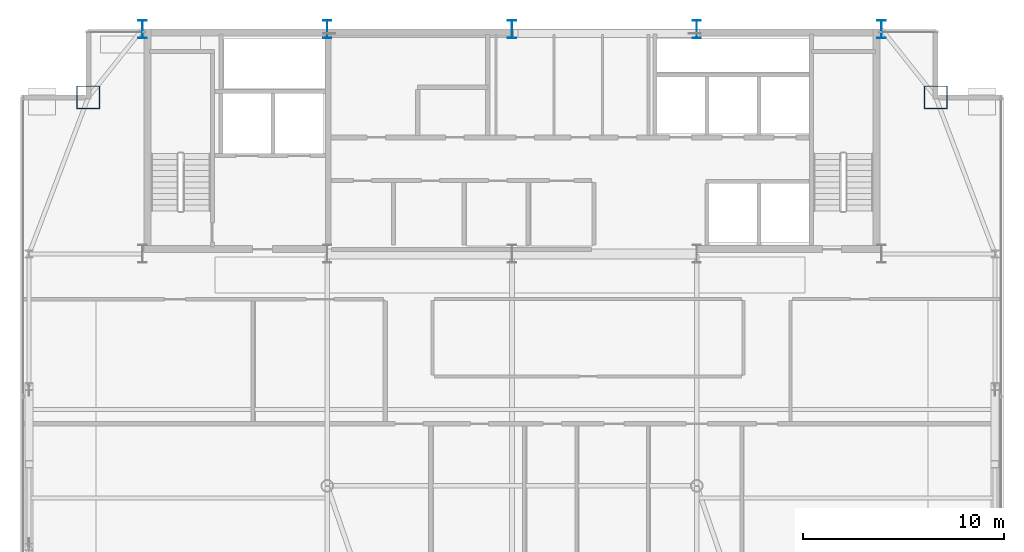
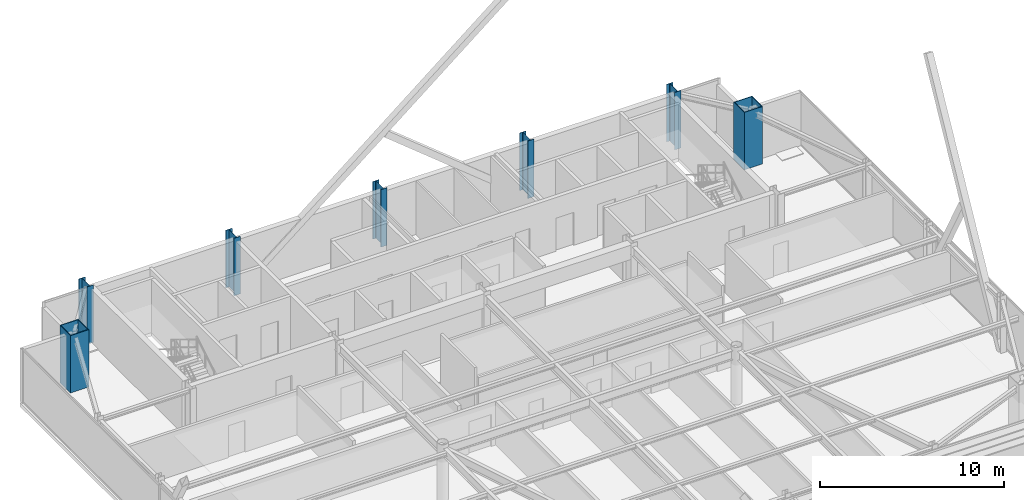
# One storey, part 3 of 33: 7 columns.
"""IFC4 building model written with IfcOpenShell, lengths in metres."""

from ifc_helpers import new_model, si_unit, direction, frame, origin, origin_2d, place, context, subcontext, project, spatial, hollow_rectangle, i_section, extrude, source, transform, mapped, material, material_profile, profile_set, type_object, type_shapes, element, save


model = new_model("IFC4")

# Units and contexts
model_context = context("Model", 3, precision=1e-05, world=origin(), true_north=direction((0.0, 1.0)))
body_context = subcontext(model_context, "Body", "Model", "MODEL_VIEW")
ifc_project = project(units=[si_unit("LENGTHUNIT", "METRE"), si_unit("AREAUNIT", "SQUARE_METRE"), si_unit("VOLUMEUNIT", "CUBIC_METRE"), si_unit("PLANEANGLEUNIT", "RADIAN"), si_unit("MASSUNIT", "GRAM", prefix="KILO")], contexts=[model_context])

# Site, building, storey
site_placement = place(None, origin())
site = spatial("IfcSite", under=ifc_project, at=site_placement, CompositionType="ELEMENT")
building_placement = place(site_placement, origin())
building = spatial("IfcBuilding", under=site, at=building_placement, Name="Varnel Quay Broadcast Tower", CompositionType="ELEMENT")
storey_placement = place(building_placement, frame((0.0, 0.0, 199.800048828125)))
storey = spatial("IfcBuildingStorey", under=building, at=storey_placement, Name="L49", CompositionType="ELEMENT", Elevation=199.800048828125)

# Columns
ifc_material = material(Name="Structural Steel CSA G40.21 350WT", Category="steel")
ifc_material_profile_1 = material_profile(ifc_material, i_section(OverallWidth=0.39990234375, OverallDepth=0.89990234375, WebThickness=0.01611328125, FlangeThickness=0.028076171875, FilletRadius=0.01611328125, at=origin_2d()), Name="WWF900X309")
ifc_profile_set_1 = profile_set([ifc_material_profile_1], Name="Structural Steel CSA G40.21 350WT")
column_type_1 = type_object("IfcColumnType", Name="Col_WWF900X309", PredefinedType="COLUMN", material=ifc_profile_set_1)
shared_shape_1 = source(origin(), body_context, "Body", "SweptSolid", [
    extrude(i_section(OverallWidth=0.39990234375, OverallDepth=0.89990234375, WebThickness=0.01611328125, FlangeThickness=0.028076171875, FilletRadius=0.01611328125, at=origin_2d()), origin(), (0.0, 0.0, 1.0), 3.800048828125),
])
type_shapes(column_type_1, [shared_shape_1])
for number, where, z_axis, x_axis, name in (
    (1, (15.60009765625, 46.800048828125, 0.0), (0.0, 0.0, 1.0), (1.0, 0.0, 0.0), "L49 Column CC-N1"),
    (2, (24.800048828125, 46.800048828125, 0.0), (0.0, 0.0, 1.0), (1.0, 0.0, 0.0), "L49 Column CC-N2"),
    (3, (34.0, 46.800048828125, 0.0), (0.0, 0.0, 1.0), (1.0, 0.0, 0.0), "L49 Column CC-N3"),
    (4, (43.199951171875, 46.800048828125, 0.0), (0.0, 0.0, 1.0), (1.0, 0.0, 0.0), "L49 Column CC-N4"),
    (5, (52.39990234375, 46.800048828125, 0.0), (0.0, 0.0, 1.0), (1.0, 0.0, 0.0), "L49 Column CC-N5"),
):
    element("IfcColumn", number, at=place(storey_placement, frame(where, z_axis=z_axis, x_axis=x_axis)), inside=storey, type_object=column_type_1, Name=name, PredefinedType="COLUMN", context=body_context, shape_type="MappedRepresentation", body=[
        mapped(shared_shape_1, transform((0.0, 0.0, 0.0), x_axis=(1.0, 0.0, 0.0), y_axis=(0.0, 1.0, 0.0), z_axis=(0.0, 0.0, 1.0), scale=1.0)),
    ])
ifc_material_profile_2 = material_profile(ifc_material, hollow_rectangle(XDim=1.14990234375, YDim=1.14990234375, WallThickness=0.044921875, at=origin_2d()), Name="BOX1150X1150X45")
ifc_profile_set_2 = profile_set([ifc_material_profile_2], Name="Structural Steel CSA G40.21 350WT")
column_type_2 = type_object("IfcColumnType", Name="Col_BOX1150X1150X45", PredefinedType="COLUMN", material=ifc_profile_set_2)
shared_shape_2 = source(origin(), body_context, "Body", "SweptSolid", [
    extrude(hollow_rectangle(XDim=1.14990234375, YDim=1.14990234375, WallThickness=0.044921875, at=origin_2d()), origin(), (0.0, 0.0, 1.0), 3.800048828125),
])
type_shapes(column_type_2, [shared_shape_2])
for number, where, z_axis, x_axis, name in (
    (6, (55.10009765625, 43.39990234375, 0.0), (0.0, 0.0, 1.0), (1.0, 0.0, 0.0), "L49 Column MC-NE"),
    (7, (12.89990234375, 43.39990234375, 0.0), (0.0, 0.0, 1.0), (1.0, 0.0, 0.0), "L49 Column MC-NW"),
):
    element("IfcColumn", number, at=place(storey_placement, frame(where, z_axis=z_axis, x_axis=x_axis)), inside=storey, type_object=column_type_2, Name=name, PredefinedType="COLUMN", context=body_context, shape_type="MappedRepresentation", body=[
        mapped(shared_shape_2, transform((0.0, 0.0, 0.0), x_axis=(1.0, 0.0, 0.0), y_axis=(0.0, 1.0, 0.0), z_axis=(0.0, 0.0, 1.0), scale=1.0)),
    ])

save(model, "model.ifc")
